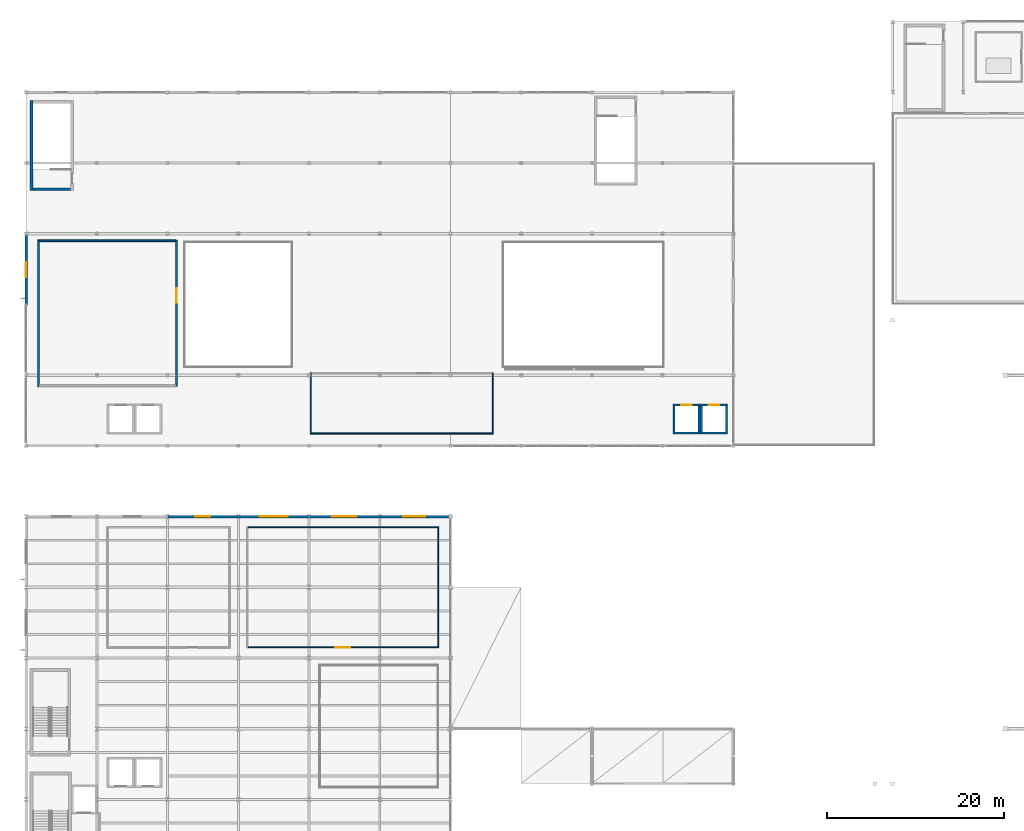
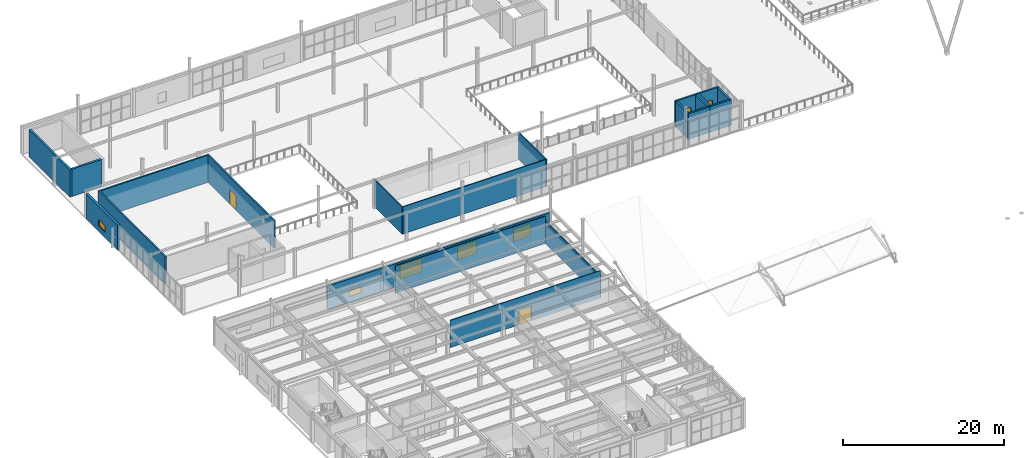
# One storey, part 56 of 83: 24 walls, 5 windows, 4 doors, 9 openings.
"""IFC4 building model written with IfcOpenShell, lengths in metres."""

import ifcopenshell
import ifcopenshell.guid

model = None  # the IFC model being written
_history = None  # IfcOwnerHistory: only IFC2X3 demands one
_inside = {}  # id of a spatial element -> (the spatial element, [elements in it])
_under = {}  # id of a project, library or spatial element -> (it, [spatial elements below it])
_declared = {}  # id of a project -> (the project, [libraries it declares])
_typed = {}  # id of a type object -> (the type object, [elements of that type])
_made_of = {}  # id of a material, layer set ... -> (it, [elements and type objects made of it])


def new_model(schema):
    """Start an empty IFC model of exactly this schema.

    Asked for "IFC4X3", IfcOpenShell would pick the latest addendum, in which some entities
    have other attributes; the version numbers below select the first issue.
    IFC2X3 requires an IfcOwnerHistory on every rooted entity: one is made here for all.
    """
    global model, _history
    if schema == "IFC4X3":
        model = ifcopenshell.file(schema_version=(4, 3, 0, 0))
    else:
        model = ifcopenshell.file(schema=schema)
    _inside.clear()
    _under.clear()
    _declared.clear()
    _typed.clear()
    _made_of.clear()
    _history = None
    if model.schema == "IFC2X3":
        org = make("IfcOrganization", Name="unknown")
        user = make(
            "IfcPersonAndOrganization",
            ThePerson=make("IfcPerson", FamilyName="unknown"),
            TheOrganization=org,
        )
        app = make(
            "IfcApplication",
            ApplicationDeveloper=org,
            Version="unknown",
            ApplicationFullName="unknown",
            ApplicationIdentifier="unknown",
        )
        _history = make(
            "IfcOwnerHistory",
            OwningUser=user,
            OwningApplication=app,
            ChangeAction="ADDED",
            CreationDate=0,
        )
    return model


def make(cls, **values):
    """One entity of the class cls with the attributes given. An attribute that is None is left unset."""
    return model.create_entity(
        cls, **{name: value for name, value in values.items() if value is not None}
    )


def rooted(cls, **values):
    """An entity with a GlobalId (a new one), such as an element, a storey or a relation."""
    return make(cls, GlobalId=ifcopenshell.guid.new(), OwnerHistory=_history, **values)


def si_unit(unit_type, name, prefix=None):
    """IfcSIUnit, for example si_unit("LENGTHUNIT", "METRE", prefix="MILLI")."""
    return make("IfcSIUnit", UnitType=unit_type, Prefix=prefix, Name=name)


def assignment(units):
    """IfcUnitAssignment: the units of a project."""
    return None if units is None else make("IfcUnitAssignment", Units=units)


def point(xyz):
    """IfcCartesianPoint."""
    return None if xyz is None else make("IfcCartesianPoint", Coordinates=xyz)


def direction(xyz):
    """IfcDirection."""
    return None if xyz is None else make("IfcDirection", DirectionRatios=xyz)


def frame(location, z_axis=None, x_axis=None):
    """IfcAxis2Placement3D, a coordinate frame: its origin and axes. An axis left out is left unset."""
    return make(
        "IfcAxis2Placement3D",
        Location=point(location),
        Axis=direction(z_axis),
        RefDirection=direction(x_axis),
    )


def frame_2d(location, x_axis=None):
    """IfcAxis2Placement2D, a coordinate frame in the plane: its origin and x axis."""
    return make(
        "IfcAxis2Placement2D", Location=point(location), RefDirection=direction(x_axis)
    )


def origin():
    """The frame at (0, 0, 0) with its axes left unset."""
    return frame((0.0, 0.0, 0.0))


def place(relative_to, where):
    """IfcLocalPlacement: puts the frame where relative to a parent placement (None: the world)."""
    return make(
        "IfcLocalPlacement", PlacementRelTo=relative_to, RelativePlacement=where
    )


def context(
    kind, dimensions, precision=None, world=None, true_north=None, identifier=None
):
    """IfcGeometricRepresentationContext, for example the 3D "Model" context."""
    return make(
        "IfcGeometricRepresentationContext",
        ContextIdentifier=identifier,
        ContextType=kind,
        CoordinateSpaceDimension=dimensions,
        Precision=precision,
        WorldCoordinateSystem=world,
        TrueNorth=true_north,
    )


def subcontext(parent, identifier, kind, view, scale=None):
    """IfcGeometricRepresentationSubContext, for example "Body" below "Model"."""
    return make(
        "IfcGeometricRepresentationSubContext",
        ContextIdentifier=identifier,
        ContextType=kind,
        ParentContext=parent,
        TargetScale=scale,
        TargetView=view,
    )


def project(units=None, contexts=None):
    """IfcProject with its units and contexts."""
    return rooted(
        "IfcProject",
        Name="project",
        RepresentationContexts=contexts,
        UnitsInContext=assignment(units),
    )


def spatial(cls, under=None, at=None, **own):
    """A site, building, storey or space (cls), placed at a placement, below another one or the project."""
    s = rooted(cls, ObjectPlacement=at, **own)
    if under is not None:
        _under.setdefault(under.id(), (under, []))[1].append(s)
    return s


def profile(cls, at=None, kind="AREA", **sizes):
    """A parametric profile (cls). Its sizes go by their IFC names, for example OverallWidth=200.0."""
    return make(cls, ProfileType=kind, Position=at, **sizes)


def rectangle(**sizes):
    """IfcRectangleProfileDef."""
    return profile("IfcRectangleProfileDef", **sizes)


def extrude(swept, where, along, depth):
    """IfcExtrudedAreaSolid: the profile swept, set in the frame where, extruded along a direction by depth."""
    return make(
        "IfcExtrudedAreaSolid",
        SweptArea=swept,
        Position=where,
        ExtrudedDirection=direction(along),
        Depth=depth,
    )


def shape(context_of_items, identifier, shape_type, items):
    """IfcShapeRepresentation: the items that make up one representation, for example the "Body"."""
    return make(
        "IfcShapeRepresentation",
        ContextOfItems=context_of_items,
        RepresentationIdentifier=identifier,
        RepresentationType=shape_type,
        Items=items,
    )


def material(Name=None, Category=None):
    """IfcMaterial."""
    return make("IfcMaterial", Name=Name, Category=Category)


def layer(
    of_material, thickness, ventilated=None, Name=None, Category=None, Priority=None
):
    """IfcMaterialLayer: one layer of a wall or slab, of a material (None: an air gap)."""
    return make(
        "IfcMaterialLayer",
        Material=of_material,
        LayerThickness=thickness,
        IsVentilated=ventilated,
        Name=Name,
        Category=Category,
        Priority=Priority,
    )


def layer_set(layers, Name=None):
    """IfcMaterialLayerSet."""
    return make("IfcMaterialLayerSet", MaterialLayers=layers, LayerSetName=Name)


def made_of(thing, what):
    """Note that an element or type object is made of a material, layer set ...; save() writes the relation."""
    if what is not None:
        _made_of.setdefault(what.id(), (what, []))[1].append(thing)
    return thing


def type_object(cls, material=None, **own):
    """A type object (cls), such as IfcWallType, which elements share."""
    return made_of(rooted(cls, **own), material)


def element(
    cls,
    number,
    at=None,
    inside=None,
    cuts=None,
    type_object=None,
    material=None,
    context=None,
    identifier="Body",
    shape_type=None,
    held_by="IfcProductDefinitionShape",
    body=None,
    shapes=None,
    **own,
):
    """One element of the class cls, such as IfcWall. Its Tag is "e" and its number.

    at: its placement. inside: the storey or other place that contains it. cuts: it is an
    opening in that element (IfcRelVoidsElement). A single representation is given by context,
    identifier, shape_type and body (its items); several are given by shapes. held_by: the class
    of the entity that holds the representations. save() writes the other relations.
    """
    e = rooted(cls, Tag="e%d" % number, ObjectPlacement=at, **own)
    if body is not None:
        shapes = [shape(context, identifier, shape_type, body)]
    if shapes is not None:
        e.Representation = make(held_by, Representations=shapes)
    if inside is not None:
        _inside.setdefault(inside.id(), (inside, []))[1].append(e)
    if cuts is not None:
        rooted(
            "IfcRelVoidsElement", RelatingBuildingElement=cuts, RelatedOpeningElement=e
        )
    if type_object is not None:
        _typed.setdefault(type_object.id(), (type_object, []))[1].append(e)
    return made_of(e, material)


def fill(opening, filler):
    """IfcRelFillsElement: the door or window that sits in an opening."""
    return rooted(
        "IfcRelFillsElement",
        RelatingOpeningElement=opening,
        RelatedBuildingElement=filler,
    )


def aggregate(whole, parts):
    """IfcRelAggregates: a whole, such as a stair, and the parts it consists of."""
    return rooted("IfcRelAggregates", RelatingObject=whole, RelatedObjects=parts)


def save(model, path):
    """Write the relations noted so far, then the file.

    IfcRelAggregates (storeys below a building ...), IfcRelContainedInSpatialStructure (elements
    in a storey), IfcRelDefinesByType, IfcRelAssociatesMaterial and IfcRelDeclares: one each for
    every whole, place, type object, material and project.
    """
    for whole, parts in _under.values():
        aggregate(whole, parts)
    for where, things in _inside.values():
        rooted(
            "IfcRelContainedInSpatialStructure",
            RelatedElements=things,
            RelatingStructure=where,
        )
    for kind, things in _typed.values():
        rooted("IfcRelDefinesByType", RelatedObjects=things, RelatingType=kind)
    for what, things in _made_of.values():
        rooted("IfcRelAssociatesMaterial", RelatedObjects=things, RelatingMaterial=what)
    for by, libraries in _declared.values():
        rooted("IfcRelDeclares", RelatingContext=by, RelatedDefinitions=libraries)
    model.write(path)


model = new_model("IFC4")

# Units and contexts
model_context = context("Model", 3, precision=1e-05, world=origin(), true_north=direction((0.0, 1.0)))
body_context = subcontext(model_context, "Body", "Model", "MODEL_VIEW")
ifc_project = project(units=[si_unit("LENGTHUNIT", "METRE"), si_unit("AREAUNIT", "SQUARE_METRE"), si_unit("VOLUMEUNIT", "CUBIC_METRE"), si_unit("PLANEANGLEUNIT", "RADIAN"), si_unit("MASSUNIT", "GRAM", prefix="KILO")], contexts=[model_context])

# Site, building, storey
site_placement = place(None, origin())
site = spatial("IfcSite", under=ifc_project, at=site_placement, CompositionType="ELEMENT")
building_placement = place(site_placement, origin())
building = spatial("IfcBuilding", under=site, at=building_placement, Name="Drelvath Fold Interchange", CompositionType="ELEMENT")
storey_placement = place(building_placement, frame((0.0, 0.0, 11.199951171875)))
storey = spatial("IfcBuildingStorey", under=building, at=storey_placement, Name="L02", CompositionType="ELEMENT", Elevation=11.199951171875)

# Walls
ifc_material_1 = material(Name="Concrete f'c 45 MPa (6500 psi)", Category="concrete")
ifc_layer_1 = layer(ifc_material_1, 0.300048828125, Name="Concrete f'c 45 MPa (6500 psi)")
ifc_layer_set_1 = layer_set([ifc_layer_1], Name="Concrete f'c 45 MPa (6500 psi)")
wall_type_1 = type_object("IfcWallType", Name="WL-CR300", PredefinedType="SHEAR", material=ifc_layer_set_1)
wall_1_placement = place(storey_placement, frame((4.75, 88.050048828125, 0.0), z_axis=(0.0, 0.0, 1.0), x_axis=(1.0, 0.0, 0.0)))
element("IfcWall", 1, at=wall_1_placement, inside=storey, type_object=wall_type_1, Name="ST-05 L02 south core wall", PredefinedType="SHEAR", context=body_context, shape_type="SweptSolid", body=[
    extrude(rectangle(XDim=4.280029296875, YDim=0.300048828125, at=frame_2d((2.14013671875, 0.0))), origin(), (0.0, 0.0, 1.0), 4.1201171875),
])
wall_2_placement = place(storey_placement, frame((4.60009765625, 98.050048828125, 0.0), z_axis=(0.0, 0.0, 1.0), x_axis=(0.0, -1.0, 0.0)))
element("IfcWall", 2, at=wall_2_placement, inside=storey, type_object=wall_type_1, Name="ST-05 L02 west core wall", PredefinedType="SHEAR", context=body_context, shape_type="SweptSolid", body=[
    extrude(rectangle(XDim=10.150146484375, YDim=0.300048828125, at=frame_2d((5.0751953125, 0.0))), origin(), (0.0, 0.0, 1.0), 4.1201171875),
])

# Wall, opening, window
ifc_material_2 = material(Name="Perforated Anodized Aluminium Rainscreen", Category="aluminium")
ifc_layer_2 = layer(ifc_material_2, 0.27490234375, Name="Perforated Anodized Aluminium Rainscreen")
ifc_layer_set_2 = layer_set([ifc_layer_2], Name="Perforated Anodized Aluminium Rainscreen")
wall_type_2 = type_object("IfcWallType", Name="WL-EXT275", PredefinedType="SOLIDWALL", material=ifc_layer_set_2)
wall_3_placement = place(storey_placement, frame((20.012939453125, 51.0, 0.0), z_axis=(0.0, 0.0, 1.0), x_axis=(1.0, 0.0, 0.0)))
wall_3 = element("IfcWall", 3, at=wall_3_placement, inside=storey, type_object=wall_type_2, Name="L02 exterior facade wall 64", PredefinedType="SOLIDWALL", context=body_context, shape_type="SweptSolid", body=[
    extrude(rectangle(XDim=7.97412109375, YDim=0.27490234375, at=frame_2d((3.987060546875, 0.0))), origin(), (0.0, 0.0, 1.0), 3.550048828125),
])
opening_1_placement = place(wall_3_placement, frame((3.136962890625, 0.0, 0.85009765625)))
opening_1 = element("IfcOpeningElement", 4, at=opening_1_placement, cuts=wall_3, Name="Opening W-L02-058", PredefinedType="OPENING", context=body_context, shape_type="SweptSolid", body=[
    extrude(rectangle(XDim=1.699951171875, YDim=0.949951171875, at=frame_2d((0.85009765625, 0.47509765625))), frame((0.0, 0.1474609375, 0.0), z_axis=(0.0, -1.0, 0.0), x_axis=(1.0, 0.0, 0.0)), (0.0, 0.0, 1.0), 0.294921875),
])
ifc_material_3 = material(Name="Low-Iron Insulated Laminated Glass", Category="glass")
window_type_1 = type_object("IfcWindowType", Name="WN-170x095", PartitioningType="SINGLE_PANEL", PredefinedType="WINDOW", material=ifc_material_3)
window_1_placement = place(opening_1_placement, origin())
window_1 = element("IfcWindow", 5, at=window_1_placement, inside=storey, type_object=window_type_1, Name="Facade window W-L02-058", OverallHeight=0.949951171875, OverallWidth=1.699951171875, PartitioningType="SINGLE_PANEL", PredefinedType="WINDOW", context=body_context, shape_type="SweptSolid", body=[
    extrude(rectangle(XDim=1.699951171875, YDim=0.949951171875, at=frame_2d((0.85009765625, 0.47509765625))), frame((0.0, 0.030029296875, 0.0), z_axis=(0.0, -1.0, 0.0), x_axis=(1.0, 0.0, 0.0)), (0.0, 0.0, 1.0), 0.06005859375),
])
fill(opening_1, window_1)

wall_4_placement = place(storey_placement, frame((28.012939453125, 51.0, 0.0), z_axis=(0.0, 0.0, 1.0), x_axis=(1.0, 0.0, 0.0)))
wall_4 = element("IfcWall", 6, at=wall_4_placement, inside=storey, type_object=wall_type_2, Name="L02 exterior facade wall 65", PredefinedType="SOLIDWALL", context=body_context, shape_type="SweptSolid", body=[
    extrude(rectangle(XDim=7.97412109375, YDim=0.27490234375, at=frame_2d((3.987060546875, 0.0))), origin(), (0.0, 0.0, 1.0), 3.550048828125),
])
opening_2_placement = place(wall_4_placement, frame((2.386962890625, 0.0, 0.85009765625)))
opening_2 = element("IfcOpeningElement", 7, at=opening_2_placement, cuts=wall_4, Name="Opening W-L02-059", PredefinedType="OPENING", context=body_context, shape_type="SweptSolid", body=[
    extrude(rectangle(XDim=3.199951171875, YDim=2.14990234375, at=frame_2d((1.60009765625, 1.074951171875))), frame((0.0, 0.1474609375, 0.0), z_axis=(0.0, -1.0, 0.0), x_axis=(1.0, 0.0, 0.0)), (0.0, 0.0, 1.0), 0.294921875),
])
window_type_2 = type_object("IfcWindowType", Name="WN-320x215", PartitioningType="TRIPLE_PANEL_VERTICAL", PredefinedType="WINDOW", material=ifc_material_3)
window_2_placement = place(opening_2_placement, origin())
window_2 = element("IfcWindow", 8, at=window_2_placement, inside=storey, type_object=window_type_2, Name="Facade window W-L02-059", OverallHeight=2.14990234375, OverallWidth=3.199951171875, PartitioningType="SINGLE_PANEL", PredefinedType="WINDOW", context=body_context, shape_type="SweptSolid", body=[
    extrude(rectangle(XDim=3.199951171875, YDim=2.14990234375, at=frame_2d((1.60009765625, 1.074951171875))), frame((0.0, 0.030029296875, 0.0), z_axis=(0.0, -1.0, 0.0), x_axis=(1.0, 0.0, 0.0)), (0.0, 0.0, 1.0), 0.06005859375),
])
fill(opening_2, window_2)

wall_5_placement = place(storey_placement, frame((36.012939453125, 51.0, 0.0), z_axis=(0.0, 0.0, 1.0), x_axis=(1.0, 0.0, 0.0)))
wall_5 = element("IfcWall", 9, at=wall_5_placement, inside=storey, type_object=wall_type_2, Name="L02 exterior facade wall 66", PredefinedType="SOLIDWALL", context=body_context, shape_type="SweptSolid", body=[
    extrude(rectangle(XDim=7.97412109375, YDim=0.27490234375, at=frame_2d((3.987060546875, 0.0))), origin(), (0.0, 0.0, 1.0), 3.550048828125),
])
opening_3_placement = place(wall_5_placement, frame((2.636962890625, 0.0, 0.85009765625)))
opening_3 = element("IfcOpeningElement", 10, at=opening_3_placement, cuts=wall_5, Name="Opening W-L02-060", PredefinedType="OPENING", context=body_context, shape_type="SweptSolid", body=[
    extrude(rectangle(XDim=2.699951171875, YDim=2.050048828125, at=frame_2d((1.35009765625, 1.02490234375))), frame((0.0, 0.1474609375, 0.0), z_axis=(0.0, -1.0, 0.0), x_axis=(1.0, 0.0, 0.0)), (0.0, 0.0, 1.0), 0.294921875),
])
window_type_3 = type_object("IfcWindowType", Name="WN-270x205", PartitioningType="TRIPLE_PANEL_VERTICAL", PredefinedType="WINDOW", material=ifc_material_3)
window_3_placement = place(opening_3_placement, origin())
window_3 = element("IfcWindow", 11, at=window_3_placement, inside=storey, type_object=window_type_3, Name="Facade window W-L02-060", OverallHeight=2.050048828125, OverallWidth=2.699951171875, PartitioningType="SINGLE_PANEL", PredefinedType="WINDOW", context=body_context, shape_type="SweptSolid", body=[
    extrude(rectangle(XDim=2.699951171875, YDim=2.050048828125, at=frame_2d((1.35009765625, 1.02490234375))), frame((0.0, 0.030029296875, 0.0), z_axis=(0.0, -1.0, 0.0), x_axis=(1.0, 0.0, 0.0)), (0.0, 0.0, 1.0), 0.06005859375),
])
fill(opening_3, window_3)

wall_6_placement = place(storey_placement, frame((44.012939453125, 51.0, 0.0), z_axis=(0.0, 0.0, 1.0), x_axis=(1.0, 0.0, 0.0)))
wall_6 = element("IfcWall", 12, at=wall_6_placement, inside=storey, type_object=wall_type_2, Name="L02 exterior facade wall 67", PredefinedType="SOLIDWALL", context=body_context, shape_type="SweptSolid", body=[
    extrude(rectangle(XDim=7.7880859375, YDim=0.27490234375, at=frame_2d((3.89404296875, 0.0))), origin(), (0.0, 0.0, 1.0), 3.550048828125),
])
opening_4_placement = place(wall_6_placement, frame((2.64404296875, 0.0, 0.85009765625)))
opening_4 = element("IfcOpeningElement", 13, at=opening_4_placement, cuts=wall_6, Name="Opening W-L02-061", PredefinedType="OPENING", context=body_context, shape_type="SweptSolid", body=[
    extrude(rectangle(XDim=2.5, YDim=1.949951171875, at=frame_2d((1.25, 0.97509765625))), frame((0.0, 0.1474609375, 0.0), z_axis=(0.0, -1.0, 0.0), x_axis=(1.0, 0.0, 0.0)), (0.0, 0.0, 1.0), 0.294921875),
])
window_type_4 = type_object("IfcWindowType", Name="WN-250x195", PartitioningType="DOUBLE_PANEL_VERTICAL", PredefinedType="WINDOW", material=ifc_material_3)
window_4_placement = place(opening_4_placement, origin())
window_4 = element("IfcWindow", 14, at=window_4_placement, inside=storey, type_object=window_type_4, Name="Facade window W-L02-061", OverallHeight=1.949951171875, OverallWidth=2.5, PartitioningType="SINGLE_PANEL", PredefinedType="WINDOW", context=body_context, shape_type="SweptSolid", body=[
    extrude(rectangle(XDim=2.5, YDim=1.949951171875, at=frame_2d((1.25, 0.97509765625))), frame((0.0, 0.030029296875, 0.0), z_axis=(0.0, -1.0, 0.0), x_axis=(1.0, 0.0, 0.0)), (0.0, 0.0, 1.0), 0.06005859375),
])
fill(opening_4, window_4)

ifc_material_4 = material(Name="Precast concrete f'c 40 MPa (6000 psi)", Category="concrete")
ifc_layer_3 = layer(ifc_material_4, 0.31494140625, Name="Precast concrete f'c 40 MPa (6000 psi)")
ifc_layer_set_3 = layer_set([ifc_layer_3], Name="Precast concrete f'c 40 MPa (6000 psi)")
wall_type_3 = type_object("IfcWallType", Name="WL-EXT315", PredefinedType="SOLIDWALL", material=ifc_layer_set_3)
wall_7_placement = place(storey_placement, frame((4.0, 74.955078125, 0.0), z_axis=(0.0, 0.0, 1.0), x_axis=(0.0, 1.0, 0.0)))
wall_7 = element("IfcWall", 15, at=wall_7_placement, inside=storey, type_object=wall_type_3, Name="L02 exterior facade wall 23", PredefinedType="SOLIDWALL", context=body_context, shape_type="SweptSolid", body=[
    extrude(rectangle(XDim=7.89697265625, YDim=0.31494140625, at=frame_2d((3.948486328125, 0.0))), origin(), (0.0, 0.0, 1.0), 3.800048828125),
])
opening_5_placement = place(wall_7_placement, frame((3.09912109375, 0.0, 0.85009765625)))
opening_5 = element("IfcOpeningElement", 16, at=opening_5_placement, cuts=wall_7, Name="Opening W-L02-022", PredefinedType="OPENING", context=body_context, shape_type="SweptSolid", body=[
    extrude(rectangle(XDim=1.699951171875, YDim=0.949951171875, at=frame_2d((0.85009765625, 0.47509765625))), frame((0.0, 0.16748046875, 0.0), z_axis=(0.0, -1.0, 0.0), x_axis=(1.0, 0.0, 0.0)), (0.0, 0.0, 1.0), 0.3349609375),
])
window_5_placement = place(opening_5_placement, origin())
window_5 = element("IfcWindow", 17, at=window_5_placement, inside=storey, type_object=window_type_1, Name="Facade window W-L02-022", OverallHeight=0.949951171875, OverallWidth=1.699951171875, PartitioningType="SINGLE_PANEL", PredefinedType="WINDOW", context=body_context, shape_type="SweptSolid", body=[
    extrude(rectangle(XDim=1.699951171875, YDim=0.949951171875, at=frame_2d((0.85009765625, 0.47509765625))), frame((0.0, 0.030029296875, 0.0), z_axis=(0.0, -1.0, 0.0), x_axis=(1.0, 0.0, 0.0)), (0.0, 0.0, 1.0), 0.06005859375),
])
fill(opening_5, window_5)

# Wall, opening, door
ifc_material_5 = material(Name="Concrete f'c 35 MPa (5000 psi)", Category="concrete")
ifc_layer_4 = layer(ifc_material_5, 0.2099609375, Name="Concrete f'c 35 MPa (5000 psi)")
ifc_layer_set_4 = layer_set([ifc_layer_4], Name="Concrete f'c 35 MPa (5000 psi)")
wall_type_4 = type_object("IfcWallType", Name="WL-FR210", PredefinedType="SOLIDWALL", material=ifc_layer_set_4)
wall_8_placement = place(storey_placement, frame((21.0, 65.695068359375, 0.0), z_axis=(0.0, 0.0, 1.0), x_axis=(0.0, 1.0, 0.0)))
wall_8 = element("IfcWall", 18, at=wall_8_placement, inside=storey, type_object=wall_type_4, Name="Concourse Smoke Exhaust Plant Room E partition", PredefinedType="SOLIDWALL", context=body_context, shape_type="SweptSolid", body=[
    extrude(rectangle(XDim=16.60986328125, YDim=0.2099609375, at=frame_2d((8.304931640625, 0.0))), origin(), (0.0, 0.0, 1.0), 4.1201171875),
])
opening_6_placement = place(wall_8_placement, frame((9.472900390625, 0.0, 0.0)))
opening_6 = element("IfcOpeningElement", 19, at=opening_6_placement, cuts=wall_8, Name="Opening D-L02-122", PredefinedType="OPENING", context=body_context, shape_type="SweptSolid", body=[
    extrude(rectangle(XDim=1.64990234375, YDim=2.199951171875, at=frame_2d((0.824951171875, 1.10009765625))), frame((0.0, 0.114990234375, 0.0), z_axis=(0.0, -1.0, 0.0), x_axis=(1.0, 0.0, 0.0)), (0.0, 0.0, 1.0), 0.22998046875),
])
ifc_material_6 = material(Name="Insulated Hollow Metal Door Assembly")
door_type_1 = type_object("IfcDoorType", Name="DR-FD165", OperationType="DOUBLE_DOOR_SINGLE_SWING", PredefinedType="DOOR", material=ifc_material_6)
door_1_placement = place(opening_6_placement, frame((1.64990234375, 0.0, 0.0), z_axis=(0.0, 0.0, 1.0), x_axis=(-1.0, 0.0, 0.0)))
door_1 = element("IfcDoor", 20, at=door_1_placement, inside=storey, type_object=door_type_1, Name="Concourse Smoke Exhaust Plant Room door D-L02-122", OperationType="DOUBLE_DOOR_SINGLE_SWING", OverallHeight=2.199951171875, OverallWidth=1.64990234375, PredefinedType="DOOR", context=body_context, shape_type="SweptSolid", body=[
    extrude(rectangle(XDim=1.64990234375, YDim=2.199951171875, at=frame_2d((0.824951171875, 1.10009765625))), frame((0.0, 0.02490234375, 0.0), z_axis=(0.0, -1.0, 0.0), x_axis=(1.0, 0.0, 0.0)), (0.0, 0.0, 1.0), 0.050048828125),
])
fill(opening_6, door_1)

# Walls
wall_9_placement = place(storey_placement, frame((20.89501953125, 82.199951171875, 0.0), z_axis=(0.0, 0.0, 1.0), x_axis=(-1.0, 0.0, 0.0)))
element("IfcWall", 21, at=wall_9_placement, inside=storey, type_object=wall_type_4, Name="Concourse Smoke Exhaust Plant Room N partition", PredefinedType="SOLIDWALL", context=body_context, shape_type="SweptSolid", body=[
    extrude(rectangle(XDim=15.39013671875, YDim=0.2099609375, at=frame_2d((7.695068359375, 0.0))), origin(), (0.0, 0.0, 1.0), 4.1201171875),
])
wall_10_placement = place(storey_placement, frame((5.39990234375, 82.304931640625, 0.0), z_axis=(0.0, 0.0, 1.0), x_axis=(0.0, -1.0, 0.0)))
element("IfcWall", 22, at=wall_10_placement, inside=storey, type_object=wall_type_4, Name="Concourse Smoke Exhaust Plant Room W partition", PredefinedType="SOLIDWALL", context=body_context, shape_type="SweptSolid", body=[
    extrude(rectangle(XDim=16.60986328125, YDim=0.2099609375, at=frame_2d((8.304931640625, 0.0))), origin(), (0.0, 0.0, 1.0), 4.1201171875),
])

# Wall, opening, door
ifc_material_7 = material(Name="Acoustic Gypsum Board Partition Assembly")
ifc_layer_5 = layer(ifc_material_7, 0.114990234375, Name="Acoustic Gypsum Board Partition Assembly")
ifc_layer_set_5 = layer_set([ifc_layer_5], Name="Acoustic Gypsum Board Partition Assembly")
wall_type_5 = type_object("IfcWallType", Name="WL-PT115", PredefinedType="PARTITIONING", material=ifc_layer_set_5)
wall_11_placement = place(storey_placement, frame((29.05810546875, 36.199951171875, 0.0), z_axis=(0.0, 0.0, 1.0), x_axis=(1.0, 0.0, 0.0)))
wall_11 = element("IfcWall", 23, at=wall_11_placement, inside=storey, type_object=wall_type_5, Name="Operations Staff Canteen S partition", PredefinedType="PARTITIONING", context=body_context, shape_type="SweptSolid", body=[
    extrude(rectangle(XDim=21.48486328125, YDim=0.114990234375, at=frame_2d((10.742431640625, 0.0))), origin(), (0.0, 0.0, 1.0), 4.1201171875),
])
opening_7_placement = place(wall_11_placement, frame((9.883056640625, 0.0, 0.0)))
opening_7 = element("IfcOpeningElement", 24, at=opening_7_placement, cuts=wall_11, Name="Opening D-L02-118", PredefinedType="OPENING", context=body_context, shape_type="SweptSolid", body=[
    extrude(rectangle(XDim=1.719970703125, YDim=2.25, at=frame_2d((0.85986328125, 1.125))), frame((0.0, 0.0673828125, 0.0), z_axis=(0.0, -1.0, 0.0), x_axis=(1.0, 0.0, 0.0)), (0.0, 0.0, 1.0), 0.135009765625),
])
ifc_material_8 = material(Name="Anodized Aluminium Glazed Door Assembly", Category="aluminium")
door_type_2 = type_object("IfcDoorType", Name="DR-NR172", OperationType="DOUBLE_DOOR_SINGLE_SWING", PredefinedType="DOOR", material=ifc_material_8)
door_2_placement = place(opening_7_placement, origin())
door_2 = element("IfcDoor", 25, at=door_2_placement, inside=storey, type_object=door_type_2, Name="Operations Staff Canteen door D-L02-118", OperationType="DOUBLE_DOOR_SINGLE_SWING", OverallHeight=2.25, OverallWidth=1.719970703125, PredefinedType="DOOR", context=body_context, shape_type="SweptSolid", body=[
    extrude(rectangle(XDim=1.719970703125, YDim=2.25, at=frame_2d((0.85986328125, 1.125))), frame((0.0, 0.02490234375, 0.0), z_axis=(0.0, -1.0, 0.0), x_axis=(1.0, 0.0, 0.0)), (0.0, 0.0, 1.0), 0.050048828125),
])
fill(opening_7, door_2)

# Walls
wall_12_placement = place(storey_placement, frame((50.60009765625, 36.14306640625, 0.0), z_axis=(0.0, 0.0, 1.0), x_axis=(0.0, 1.0, 0.0)))
element("IfcWall", 26, at=wall_12_placement, inside=storey, type_object=wall_type_5, Name="Operations Staff Canteen E partition", PredefinedType="PARTITIONING", context=body_context, shape_type="SweptSolid", body=[
    extrude(rectangle(XDim=13.7138671875, YDim=0.114990234375, at=frame_2d((6.85693359375, 0.0))), origin(), (0.0, 0.0, 1.0), 3.3359375),
])
wall_13_placement = place(storey_placement, frame((50.54296875, 49.800048828125, 0.0), z_axis=(0.0, 0.0, 1.0), x_axis=(-1.0, 0.0, 0.0)))
element("IfcWall", 27, at=wall_13_placement, inside=storey, type_object=wall_type_5, Name="Operations Staff Canteen N partition", PredefinedType="PARTITIONING", context=body_context, shape_type="SweptSolid", body=[
    extrude(rectangle(XDim=21.48486328125, YDim=0.114990234375, at=frame_2d((10.742431640625, 0.0))), origin(), (0.0, 0.0, 1.0), 4.1201171875),
])
ifc_layer_6 = layer(ifc_material_7, 0.1298828125, Name="Acoustic Gypsum Board Partition Assembly")
ifc_layer_set_6 = layer_set([ifc_layer_6], Name="Acoustic Gypsum Board Partition Assembly")
wall_type_6 = type_object("IfcWallType", Name="WL-PT130", PredefinedType="PARTITIONING", material=ifc_layer_set_6)
wall_14_placement = place(storey_placement, frame((36.264892578125, 60.39990234375, 0.0), z_axis=(0.0, 0.0, 1.0), x_axis=(1.0, 0.0, 0.0)))
element("IfcWall", 28, at=wall_14_placement, inside=storey, type_object=wall_type_6, Name="Acoustic Concourse Viewing Gallery S partition", PredefinedType="PARTITIONING", context=body_context, shape_type="SweptSolid", body=[
    extrude(rectangle(XDim=20.47021484375, YDim=0.1298828125, at=frame_2d((10.235107421875, 0.0))), origin(), (0.0, 0.0, 1.0), 4.1201171875),
])
for number, where, z_axis, x_axis, name in (
    (29, (56.800048828125, 60.3349609375, 0.0), (0.0, 0.0, 1.0), (0.0, 1.0, 0.0), "Acoustic Concourse Viewing Gallery E partition"),
    (30, (36.199951171875, 67.264892578125, 0.0), (0.0, 0.0, 1.0), (0.0, -1.0, 0.0), "Acoustic Concourse Viewing Gallery W partition"),
):
    element("IfcWall", number, at=place(storey_placement, frame(where, z_axis=z_axis, x_axis=x_axis)), inside=storey, type_object=wall_type_6, Name=name, PredefinedType="PARTITIONING", context=body_context, shape_type="SweptSolid", body=[
        extrude(rectangle(XDim=6.929931640625, YDim=0.1298828125, at=frame_2d((3.46484375, 0.0))), origin(), (0.0, 0.0, 1.0), 4.1201171875),
    ])
ifc_layer_7 = layer(ifc_material_1, 0.25, Name="Concrete f'c 45 MPa (6500 psi)")
ifc_layer_set_7 = layer_set([ifc_layer_7], Name="Concrete f'c 45 MPa (6500 psi)")
wall_type_7 = type_object("IfcWallType", Name="WL-SH250", PredefinedType="SOLIDWALL", material=ifc_layer_set_7)
wall_15_placement = place(storey_placement, frame((77.14990234375, 60.47509765625, 0.0), z_axis=(0.0, 0.0, 1.0), x_axis=(1.0, 0.0, 0.0)))
element("IfcWall", 31, at=wall_15_placement, inside=storey, type_object=wall_type_7, Name="LF-05 L02 south shaft wall", PredefinedType="SOLIDWALL", context=body_context, shape_type="SweptSolid", body=[
    extrude(rectangle(XDim=3.10009765625, YDim=0.25, at=frame_2d((1.550048828125, 0.0))), origin(), (0.0, 0.0, 1.0), 3.8701171875),
])

# Wall, opening, door
wall_16_placement = place(storey_placement, frame((80.25, 63.625, 0.0), z_axis=(0.0, 0.0, 1.0), x_axis=(-1.0, 0.0, 0.0)))
wall_16 = element("IfcWall", 32, at=wall_16_placement, inside=storey, type_object=wall_type_7, Name="LF-05 L02 north shaft wall", PredefinedType="SOLIDWALL", context=body_context, shape_type="SweptSolid", body=[
    extrude(rectangle(XDim=3.10009765625, YDim=0.25, at=frame_2d((1.550048828125, 0.0))), origin(), (0.0, 0.0, 1.0), 3.8701171875),
])
opening_8_placement = place(wall_16_placement, frame((0.949951171875, 0.0, 0.0)))
opening_8 = element("IfcOpeningElement", 33, at=opening_8_placement, cuts=wall_16, Name="Opening LD-LF-05-L02", PredefinedType="OPENING", context=body_context, shape_type="SweptSolid", body=[
    extrude(rectangle(XDim=1.199951171875, YDim=2.199951171875, at=frame_2d((0.60009765625, 1.10009765625))), frame((0.0, 0.135009765625, 0.0), z_axis=(0.0, -1.0, 0.0), x_axis=(1.0, 0.0, 0.0)), (0.0, 0.0, 1.0), 0.27001953125),
])
door_type_3 = type_object("IfcDoorType", Name="DR-LD1200", OperationType="DOUBLE_DOOR_SLIDING", PredefinedType="DOOR", material=ifc_material_6)
door_3_placement = place(opening_8_placement, frame((1.199951171875, 0.0, 0.0), z_axis=(0.0, 0.0, 1.0), x_axis=(-1.0, 0.0, 0.0)))
door_3 = element("IfcDoor", 34, at=door_3_placement, inside=storey, type_object=door_type_3, Name="LF-05 L02 lift landing sliding door LD-LF-05-L02", OperationType="DOUBLE_DOOR_SLIDING", OverallHeight=2.199951171875, OverallWidth=1.199951171875, PredefinedType="DOOR", context=body_context, shape_type="SweptSolid", body=[
    extrude(rectangle(XDim=1.199951171875, YDim=2.199951171875, at=frame_2d((0.60009765625, 1.10009765625))), frame((0.0, 0.02490234375, 0.0), z_axis=(0.0, -1.0, 0.0), x_axis=(1.0, 0.0, 0.0)), (0.0, 0.0, 1.0), 0.050048828125),
])
fill(opening_8, door_3)

# Walls
for number, where, z_axis, x_axis, name in (
    (35, (80.125, 60.60009765625, 0.0), (0.0, 0.0, 1.0), (0.0, 1.0, 0.0), "LF-05 L02 east shaft wall"),
    (36, (77.27490234375, 63.5, 0.0), (0.0, 0.0, 1.0), (0.0, -1.0, 0.0), "LF-05 L02 west shaft wall"),
):
    element("IfcWall", number, at=place(storey_placement, frame(where, z_axis=z_axis, x_axis=x_axis)), inside=storey, type_object=wall_type_7, Name=name, PredefinedType="SOLIDWALL", context=body_context, shape_type="SweptSolid", body=[
        extrude(rectangle(XDim=2.89990234375, YDim=0.25, at=frame_2d((1.449951171875, 0.0))), origin(), (0.0, 0.0, 1.0), 3.8701171875),
    ])
wall_17_placement = place(storey_placement, frame((80.25, 60.47509765625, 0.0), z_axis=(0.0, 0.0, 1.0), x_axis=(1.0, 0.0, 0.0)))
element("IfcWall", 37, at=wall_17_placement, inside=storey, type_object=wall_type_7, Name="LF-06 L02 south shaft wall", PredefinedType="SOLIDWALL", context=body_context, shape_type="SweptSolid", body=[
    extrude(rectangle(XDim=3.10009765625, YDim=0.25, at=frame_2d((1.550048828125, 0.0))), origin(), (0.0, 0.0, 1.0), 3.8701171875),
])

# Wall, opening, door
wall_18_placement = place(storey_placement, frame((83.35009765625, 63.625, 0.0), z_axis=(0.0, 0.0, 1.0), x_axis=(-1.0, 0.0, 0.0)))
wall_18 = element("IfcWall", 38, at=wall_18_placement, inside=storey, type_object=wall_type_7, Name="LF-06 L02 north shaft wall", PredefinedType="SOLIDWALL", context=body_context, shape_type="SweptSolid", body=[
    extrude(rectangle(XDim=3.10009765625, YDim=0.25, at=frame_2d((1.550048828125, 0.0))), origin(), (0.0, 0.0, 1.0), 3.8701171875),
])
opening_9_placement = place(wall_18_placement, frame((0.949951171875, 0.0, 0.0)))
opening_9 = element("IfcOpeningElement", 39, at=opening_9_placement, cuts=wall_18, Name="Opening LD-LF-06-L02", PredefinedType="OPENING", context=body_context, shape_type="SweptSolid", body=[
    extrude(rectangle(XDim=1.199951171875, YDim=2.199951171875, at=frame_2d((0.60009765625, 1.10009765625))), frame((0.0, 0.135009765625, 0.0), z_axis=(0.0, -1.0, 0.0), x_axis=(1.0, 0.0, 0.0)), (0.0, 0.0, 1.0), 0.27001953125),
])
door_4_placement = place(opening_9_placement, frame((1.199951171875, 0.0, 0.0), z_axis=(0.0, 0.0, 1.0), x_axis=(-1.0, 0.0, 0.0)))
door_4 = element("IfcDoor", 40, at=door_4_placement, inside=storey, type_object=door_type_3, Name="LF-06 L02 lift landing sliding door LD-LF-06-L02", OperationType="DOUBLE_DOOR_SLIDING", OverallHeight=2.199951171875, OverallWidth=1.199951171875, PredefinedType="DOOR", context=body_context, shape_type="SweptSolid", body=[
    extrude(rectangle(XDim=1.199951171875, YDim=2.199951171875, at=frame_2d((0.60009765625, 1.10009765625))), frame((0.0, 0.02490234375, 0.0), z_axis=(0.0, -1.0, 0.0), x_axis=(1.0, 0.0, 0.0)), (0.0, 0.0, 1.0), 0.050048828125),
])
fill(opening_9, door_4)

# Walls
for number, where, z_axis, x_axis, name in (
    (41, (83.22509765625, 60.60009765625, 0.0), (0.0, 0.0, 1.0), (0.0, 1.0, 0.0), "LF-06 L02 east shaft wall"),
    (42, (80.375, 63.5, 0.0), (0.0, 0.0, 1.0), (0.0, -1.0, 0.0), "LF-06 L02 west shaft wall"),
):
    element("IfcWall", number, at=place(storey_placement, frame(where, z_axis=z_axis, x_axis=x_axis)), inside=storey, type_object=wall_type_7, Name=name, PredefinedType="SOLIDWALL", context=body_context, shape_type="SweptSolid", body=[
        extrude(rectangle(XDim=2.89990234375, YDim=0.25, at=frame_2d((1.449951171875, 0.0))), origin(), (0.0, 0.0, 1.0), 3.8701171875),
    ])

save(model, "model.ifc")
